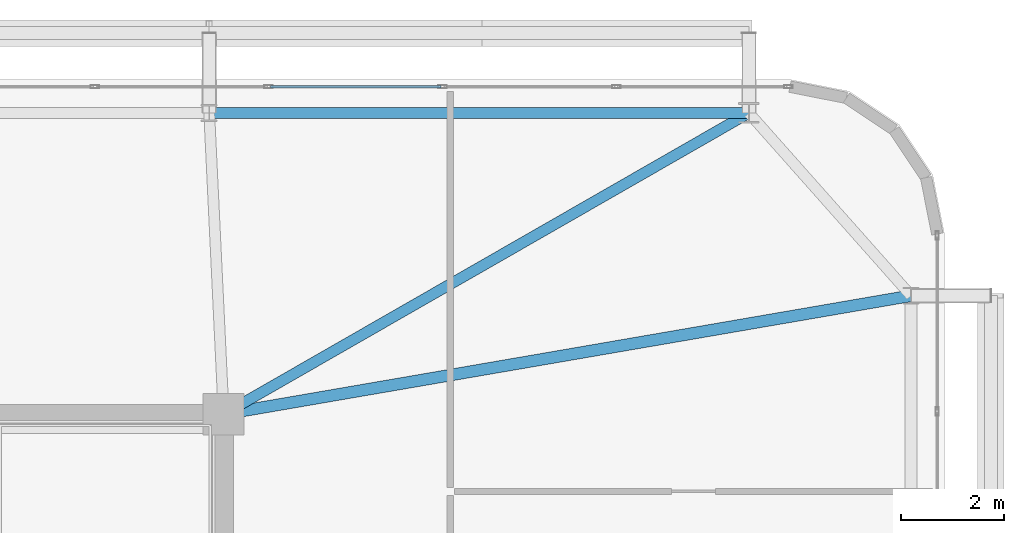
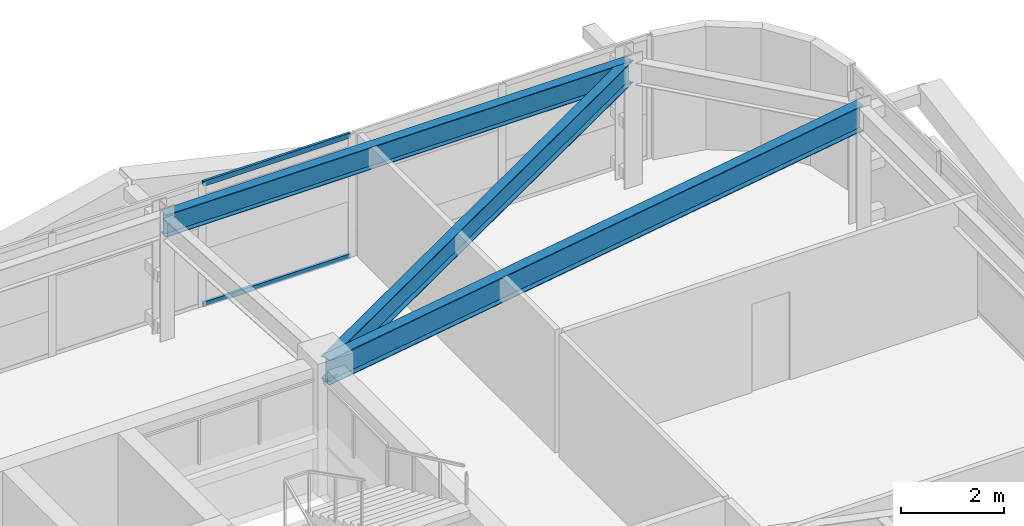
# One storey, part 39 of 58: 3 beams, 2 members, 1 element without a shape of its own.
"""IFC4 building model written with IfcOpenShell, lengths in metres."""

import ifcopenshell
import ifcopenshell.guid

model = None  # the IFC model being written
_history = None  # IfcOwnerHistory: only IFC2X3 demands one
_inside = {}  # id of a spatial element -> (the spatial element, [elements in it])
_under = {}  # id of a project, library or spatial element -> (it, [spatial elements below it])
_declared = {}  # id of a project -> (the project, [libraries it declares])
_typed = {}  # id of a type object -> (the type object, [elements of that type])
_made_of = {}  # id of a material, layer set ... -> (it, [elements and type objects made of it])


def new_model(schema):
    """Start an empty IFC model of exactly this schema.

    Asked for "IFC4X3", IfcOpenShell would pick the latest addendum, in which some entities
    have other attributes; the version numbers below select the first issue.
    IFC2X3 requires an IfcOwnerHistory on every rooted entity: one is made here for all.
    """
    global model, _history
    if schema == "IFC4X3":
        model = ifcopenshell.file(schema_version=(4, 3, 0, 0))
    else:
        model = ifcopenshell.file(schema=schema)
    _inside.clear()
    _under.clear()
    _declared.clear()
    _typed.clear()
    _made_of.clear()
    _history = None
    if model.schema == "IFC2X3":
        org = make("IfcOrganization", Name="unknown")
        user = make(
            "IfcPersonAndOrganization",
            ThePerson=make("IfcPerson", FamilyName="unknown"),
            TheOrganization=org,
        )
        app = make(
            "IfcApplication",
            ApplicationDeveloper=org,
            Version="unknown",
            ApplicationFullName="unknown",
            ApplicationIdentifier="unknown",
        )
        _history = make(
            "IfcOwnerHistory",
            OwningUser=user,
            OwningApplication=app,
            ChangeAction="ADDED",
            CreationDate=0,
        )
    return model


def make(cls, **values):
    """One entity of the class cls with the attributes given. An attribute that is None is left unset."""
    return model.create_entity(
        cls, **{name: value for name, value in values.items() if value is not None}
    )


def rooted(cls, **values):
    """An entity with a GlobalId (a new one), such as an element, a storey or a relation."""
    return make(cls, GlobalId=ifcopenshell.guid.new(), OwnerHistory=_history, **values)


def si_unit(unit_type, name, prefix=None):
    """IfcSIUnit, for example si_unit("LENGTHUNIT", "METRE", prefix="MILLI")."""
    return make("IfcSIUnit", UnitType=unit_type, Prefix=prefix, Name=name)


def assignment(units):
    """IfcUnitAssignment: the units of a project."""
    return None if units is None else make("IfcUnitAssignment", Units=units)


def point(xyz):
    """IfcCartesianPoint."""
    return None if xyz is None else make("IfcCartesianPoint", Coordinates=xyz)


def direction(xyz):
    """IfcDirection."""
    return None if xyz is None else make("IfcDirection", DirectionRatios=xyz)


def frame(location, z_axis=None, x_axis=None):
    """IfcAxis2Placement3D, a coordinate frame: its origin and axes. An axis left out is left unset."""
    return make(
        "IfcAxis2Placement3D",
        Location=point(location),
        Axis=direction(z_axis),
        RefDirection=direction(x_axis),
    )


def frame_2d(location, x_axis=None):
    """IfcAxis2Placement2D, a coordinate frame in the plane: its origin and x axis."""
    return make(
        "IfcAxis2Placement2D", Location=point(location), RefDirection=direction(x_axis)
    )


def origin():
    """The frame at (0, 0, 0) with its axes left unset."""
    return frame((0.0, 0.0, 0.0))


def origin_2d():
    """The frame at (0, 0) in the plane with its x axis left unset."""
    return frame_2d((0.0, 0.0))


def place(relative_to, where):
    """IfcLocalPlacement: puts the frame where relative to a parent placement (None: the world)."""
    return make(
        "IfcLocalPlacement", PlacementRelTo=relative_to, RelativePlacement=where
    )


def context(
    kind, dimensions, precision=None, world=None, true_north=None, identifier=None
):
    """IfcGeometricRepresentationContext, for example the 3D "Model" context."""
    return make(
        "IfcGeometricRepresentationContext",
        ContextIdentifier=identifier,
        ContextType=kind,
        CoordinateSpaceDimension=dimensions,
        Precision=precision,
        WorldCoordinateSystem=world,
        TrueNorth=true_north,
    )


def subcontext(parent, identifier, kind, view, scale=None):
    """IfcGeometricRepresentationSubContext, for example "Body" below "Model"."""
    return make(
        "IfcGeometricRepresentationSubContext",
        ContextIdentifier=identifier,
        ContextType=kind,
        ParentContext=parent,
        TargetScale=scale,
        TargetView=view,
    )


def project(units=None, contexts=None):
    """IfcProject with its units and contexts."""
    return rooted(
        "IfcProject",
        Name="project",
        RepresentationContexts=contexts,
        UnitsInContext=assignment(units),
    )


def spatial(cls, under=None, at=None, **own):
    """A site, building, storey or space (cls), placed at a placement, below another one or the project."""
    s = rooted(cls, ObjectPlacement=at, **own)
    if under is not None:
        _under.setdefault(under.id(), (under, []))[1].append(s)
    return s


def profile(cls, at=None, kind="AREA", **sizes):
    """A parametric profile (cls). Its sizes go by their IFC names, for example OverallWidth=200.0."""
    return make(cls, ProfileType=kind, Position=at, **sizes)


def hollow_rectangle(**sizes):
    """IfcRectangleHollowProfileDef."""
    return profile("IfcRectangleHollowProfileDef", **sizes)


def i_section(**sizes):
    """IfcIShapeProfileDef."""
    return profile("IfcIShapeProfileDef", **sizes)


def extrude(swept, where, along, depth):
    """IfcExtrudedAreaSolid: the profile swept, set in the frame where, extruded along a direction by depth."""
    return make(
        "IfcExtrudedAreaSolid",
        SweptArea=swept,
        Position=where,
        ExtrudedDirection=direction(along),
        Depth=depth,
    )


def shape(context_of_items, identifier, shape_type, items):
    """IfcShapeRepresentation: the items that make up one representation, for example the "Body"."""
    return make(
        "IfcShapeRepresentation",
        ContextOfItems=context_of_items,
        RepresentationIdentifier=identifier,
        RepresentationType=shape_type,
        Items=items,
    )


def source(mapping_origin, context_of_items, identifier, shape_type, items):
    """IfcRepresentationMap: a shape defined once, which mapped items show again and again."""
    return make(
        "IfcRepresentationMap",
        MappingOrigin=mapping_origin,
        MappedRepresentation=shape(context_of_items, identifier, shape_type, items),
    )


def transform(
    local_origin,
    x_axis=None,
    y_axis=None,
    z_axis=None,
    scale=None,
    scale2=None,
    scale3=None,
    uniform=True,
):
    """IfcCartesianTransformationOperator3D, or its non-uniform kind. x_axis, y_axis, z_axis: its Axis1, 2, 3."""
    if uniform:
        return make(
            "IfcCartesianTransformationOperator3D",
            Axis1=direction(x_axis),
            Axis2=direction(y_axis),
            LocalOrigin=point(local_origin),
            Scale=scale,
            Axis3=direction(z_axis),
        )
    return make(
        "IfcCartesianTransformationOperator3DnonUniform",
        Axis1=direction(x_axis),
        Axis2=direction(y_axis),
        LocalOrigin=point(local_origin),
        Scale=scale,
        Axis3=direction(z_axis),
        Scale2=scale2,
        Scale3=scale3,
    )


def mapped(mapping_source, mapping_target):
    """IfcMappedItem: shows the shape of a source again, moved by a transform."""
    return make(
        "IfcMappedItem", MappingSource=mapping_source, MappingTarget=mapping_target
    )


def material(Name=None, Category=None):
    """IfcMaterial."""
    return make("IfcMaterial", Name=Name, Category=Category)


def layer(
    of_material, thickness, ventilated=None, Name=None, Category=None, Priority=None
):
    """IfcMaterialLayer: one layer of a wall or slab, of a material (None: an air gap)."""
    return make(
        "IfcMaterialLayer",
        Material=of_material,
        LayerThickness=thickness,
        IsVentilated=ventilated,
        Name=Name,
        Category=Category,
        Priority=Priority,
    )


def layer_set(layers, Name=None):
    """IfcMaterialLayerSet."""
    return make("IfcMaterialLayerSet", MaterialLayers=layers, LayerSetName=Name)


def material_profile(
    of_material, cross_section, Name=None, Category=None, Priority=None
):
    """IfcMaterialProfile: a cross section and its material."""
    return make(
        "IfcMaterialProfile",
        Name=Name,
        Material=of_material,
        Profile=cross_section,
        Priority=Priority,
        Category=Category,
    )


def profile_set(profiles, Name=None, composite=None):
    """IfcMaterialProfileSet."""
    return make(
        "IfcMaterialProfileSet",
        Name=Name,
        MaterialProfiles=profiles,
        CompositeProfile=composite,
    )


def made_of(thing, what):
    """Note that an element or type object is made of a material, layer set ...; save() writes the relation."""
    if what is not None:
        _made_of.setdefault(what.id(), (what, []))[1].append(thing)
    return thing


def type_object(cls, material=None, **own):
    """A type object (cls), such as IfcWallType, which elements share."""
    return made_of(rooted(cls, **own), material)


def element(
    cls,
    number,
    at=None,
    inside=None,
    cuts=None,
    type_object=None,
    material=None,
    context=None,
    identifier="Body",
    shape_type=None,
    held_by="IfcProductDefinitionShape",
    body=None,
    shapes=None,
    **own,
):
    """One element of the class cls, such as IfcWall. Its Tag is "e" and its number.

    at: its placement. inside: the storey or other place that contains it. cuts: it is an
    opening in that element (IfcRelVoidsElement). A single representation is given by context,
    identifier, shape_type and body (its items); several are given by shapes. held_by: the class
    of the entity that holds the representations. save() writes the other relations.
    """
    e = rooted(cls, Tag="e%d" % number, ObjectPlacement=at, **own)
    if body is not None:
        shapes = [shape(context, identifier, shape_type, body)]
    if shapes is not None:
        e.Representation = make(held_by, Representations=shapes)
    if inside is not None:
        _inside.setdefault(inside.id(), (inside, []))[1].append(e)
    if cuts is not None:
        rooted(
            "IfcRelVoidsElement", RelatingBuildingElement=cuts, RelatedOpeningElement=e
        )
    if type_object is not None:
        _typed.setdefault(type_object.id(), (type_object, []))[1].append(e)
    return made_of(e, material)


def aggregate(whole, parts):
    """IfcRelAggregates: a whole, such as a stair, and the parts it consists of."""
    return rooted("IfcRelAggregates", RelatingObject=whole, RelatedObjects=parts)


def save(model, path):
    """Write the relations noted so far, then the file.

    IfcRelAggregates (storeys below a building ...), IfcRelContainedInSpatialStructure (elements
    in a storey), IfcRelDefinesByType, IfcRelAssociatesMaterial and IfcRelDeclares: one each for
    every whole, place, type object, material and project.
    """
    for whole, parts in _under.values():
        aggregate(whole, parts)
    for where, things in _inside.values():
        rooted(
            "IfcRelContainedInSpatialStructure",
            RelatedElements=things,
            RelatingStructure=where,
        )
    for kind, things in _typed.values():
        rooted("IfcRelDefinesByType", RelatedObjects=things, RelatingType=kind)
    for what, things in _made_of.values():
        rooted("IfcRelAssociatesMaterial", RelatedObjects=things, RelatingMaterial=what)
    for by, libraries in _declared.values():
        rooted("IfcRelDeclares", RelatingContext=by, RelatedDefinitions=libraries)
    model.write(path)


model = new_model("IFC4")

# Units and contexts
model_context = context("Model", 3, precision=1e-05, world=origin(), true_north=direction((0.0, 1.0)))
body_context = subcontext(model_context, "Body", "Model", "MODEL_VIEW")
ifc_project = project(units=[si_unit("LENGTHUNIT", "METRE"), si_unit("AREAUNIT", "SQUARE_METRE"), si_unit("VOLUMEUNIT", "CUBIC_METRE"), si_unit("PLANEANGLEUNIT", "RADIAN"), si_unit("MASSUNIT", "GRAM", prefix="KILO")], contexts=[model_context])

# Site, building, storey
site_placement = place(None, origin())
site = spatial("IfcSite", under=ifc_project, at=site_placement, CompositionType="ELEMENT")
building_placement = place(site_placement, origin())
building = spatial("IfcBuilding", under=site, at=building_placement, Name="Taldren Reach Tower", CompositionType="ELEMENT")
storey_placement = place(building_placement, frame((0.0, 0.0, 32.550048828125)))
storey = spatial("IfcBuildingStorey", under=building, at=storey_placement, Name="L09", CompositionType="ELEMENT", Elevation=32.550048828125)

# Beams
ifc_material_1 = material(Name="Steel Gr 350 (350PLUS)", Category="steel")
ifc_material_profile_1 = material_profile(ifc_material_1, i_section(OverallWidth=0.208984375, OverallDepth=0.528076171875, WebThickness=0.009521484375, FlangeThickness=0.01318359375, at=origin_2d()), Name="530UB82.0")
ifc_profile_set_1 = profile_set([ifc_material_profile_1], Name="Steel Gr 350 (350PLUS)")
beam_type_1 = type_object("IfcBeamType", Name="SP-UB530B", PredefinedType="SPANDREL", material=ifc_profile_set_1)
shared_shape_1 = source(origin(), body_context, "Body", "SweptSolid", [
    extrude(i_section(OverallWidth=0.208984375, OverallDepth=0.528076171875, WebThickness=0.009521484375, FlangeThickness=0.01318359375, at=origin_2d()), origin(), (0.0, 0.0, 1.0), 10.47998046875),
])
beam_1_placement = place(storey_placement, frame((61.199951171875, 37.85009765625, 2.666015625), z_axis=(-1.0, 0.0, 0.0), x_axis=(0.0, -1.0, 0.0)))
element("IfcBeam", 1, at=beam_1_placement, inside=storey, type_object=beam_type_1, Name="Perimeter spandrel B1 N6-N5 L09", PredefinedType="SPANDREL", context=body_context, shape_type="MappedRepresentation", body=[
    mapped(shared_shape_1, transform((0.0, 0.0, 0.0), scale=1.0)),
])
ifc_material_profile_2 = material_profile(ifc_material_1, i_section(OverallWidth=0.22802734375, OverallDepth=0.60205078125, WebThickness=0.010498046875, FlangeThickness=0.014892578125, at=origin_2d()), Name="610UB101")
ifc_profile_set_2 = profile_set([ifc_material_profile_2], Name="Steel Gr 350 (350PLUS)")
beam_type_2 = type_object("IfcBeamType", Name="BM-UB610B", PredefinedType="BEAM", material=ifc_profile_set_2)
shared_shape_2 = source(origin(), body_context, "Body", "SweptSolid", [
    extrude(i_section(OverallWidth=0.22802734375, OverallDepth=0.60205078125, WebThickness=0.010498046875, FlangeThickness=0.014892578125, at=origin_2d()), origin(), (0.0, 0.0, 1.0), 13.546875),
])
beam_2_placement = place(storey_placement, frame((51.0, 32.0, 2.62890625), z_axis=(0.985481022998, 0.169785609847, 0.0), x_axis=(-0.169785609847, 0.985481022998, 0.0)))
element("IfcBeam", 2, at=beam_2_placement, inside=storey, type_object=beam_type_2, Name="Primary floor girder B1-E3 L09", PredefinedType="BEAM", context=body_context, shape_type="MappedRepresentation", body=[
    mapped(shared_shape_2, transform((0.0, 0.0, 0.0), scale=1.0)),
])
ifc_material_profile_3 = material_profile(ifc_material_1, i_section(OverallWidth=0.208984375, OverallDepth=0.532958984375, WebThickness=0.01025390625, FlangeThickness=0.015625, at=origin_2d()), Name="530UB92.4")
ifc_profile_set_3 = profile_set([ifc_material_profile_3], Name="Steel Gr 350 (350PLUS)")
beam_type_3 = type_object("IfcBeamType", Name="BM-UB530A", PredefinedType="BEAM", material=ifc_profile_set_3)
shared_shape_3 = source(origin(), body_context, "Body", "SweptSolid", [
    extrude(i_section(OverallWidth=0.208984375, OverallDepth=0.532958984375, WebThickness=0.01025390625, FlangeThickness=0.015625, at=origin_2d()), origin(), (0.0, 0.0, 1.0), 11.758544921875),
])
beam_3_placement = place(storey_placement, frame((51.0, 32.0, 2.663330078125), z_axis=(0.867452414141, 0.497520159593, 0.0), x_axis=(-0.497520159593, 0.867452414141, 0.0)))
element("IfcBeam", 3, at=beam_3_placement, inside=storey, type_object=beam_type_3, Name="Primary floor girder B1-N6 L09", PredefinedType="BEAM", context=body_context, shape_type="MappedRepresentation", body=[
    mapped(shared_shape_3, transform((0.0, 0.0, 0.0), scale=1.0)),
])

# Curtain wall, members
ifc_material_2 = material(Name="Aluminium and Low-E Glass Unitised System", Category="aluminium")
ifc_layer = layer(ifc_material_2, 0.159912109375)
ifc_layer_set = layer_set([ifc_layer], Name="Aluminium and Low-E Glass Unitised System")
curtain_wall_type = type_object("IfcCurtainWallType", Name="CW-SYS-2", PredefinedType="NOTDEFINED", material=ifc_layer_set)
curtain_wall_placement = place(storey_placement, origin())
curtain_wall = element("IfcCurtainWall", 4, at=curtain_wall_placement, inside=storey, type_object=curtain_wall_type, Name="Unitised curtain wall CW-L09-N", PredefinedType="NOTDEFINED")
ifc_material_3 = material(Name="Anodised Aluminium 6063-T6", Category="aluminium")
ifc_material_profile_4 = material_profile(ifc_material_3, hollow_rectangle(XDim=0.054931640625, YDim=0.1201171875, WallThickness=0.0029296875, at=origin_2d()), Name="ALU-120x55x3RHS")
ifc_profile_set_4 = profile_set([ifc_material_profile_4], Name="Anodised Aluminium 6063-T6")
member_type = type_object("IfcMemberType", Name="CW-TRN-135", PredefinedType="USERDEFINED", material=ifc_profile_set_4)
shared_shape_4 = source(origin(), body_context, "Body", "SweptSolid", [
    extrude(hollow_rectangle(XDim=0.054931640625, YDim=0.1201171875, WallThickness=0.0029296875, at=origin_2d()), origin(), (0.0, 0.0, 1.0), 3.31005859375),
])
member_1_placement = place(storey_placement, frame((55.217529296875, 38.360107421875, 0.02734375), z_axis=(-1.0, 0.0, 0.0), x_axis=(0.0, -1.0, 0.0)))
member_1 = element("IfcMember", 5, at=member_1_placement, type_object=member_type, Name="CW-2 transom 3.1", ObjectType="TRANSOM", PredefinedType="USERDEFINED", context=body_context, shape_type="MappedRepresentation", body=[
    mapped(shared_shape_4, transform((0.0, 0.0, 0.0), scale=1.0)),
])
member_2_placement = place(storey_placement, frame((55.217529296875, 38.360107421875, 2.90234375), z_axis=(-1.0, 0.0, 0.0), x_axis=(0.0, -1.0, 0.0)))
member_2 = element("IfcMember", 6, at=member_2_placement, type_object=member_type, Name="CW-2 transom 3.2", ObjectType="TRANSOM", PredefinedType="USERDEFINED", context=body_context, shape_type="MappedRepresentation", body=[
    mapped(shared_shape_4, transform((0.0, 0.0, 0.0), scale=1.0)),
])
aggregate(curtain_wall, [member_1, member_2])

save(model, "model.ifc")
